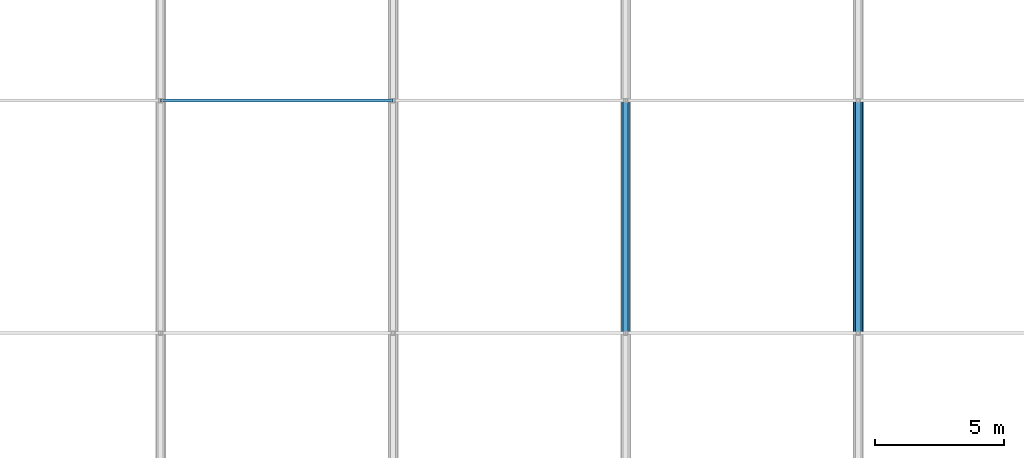
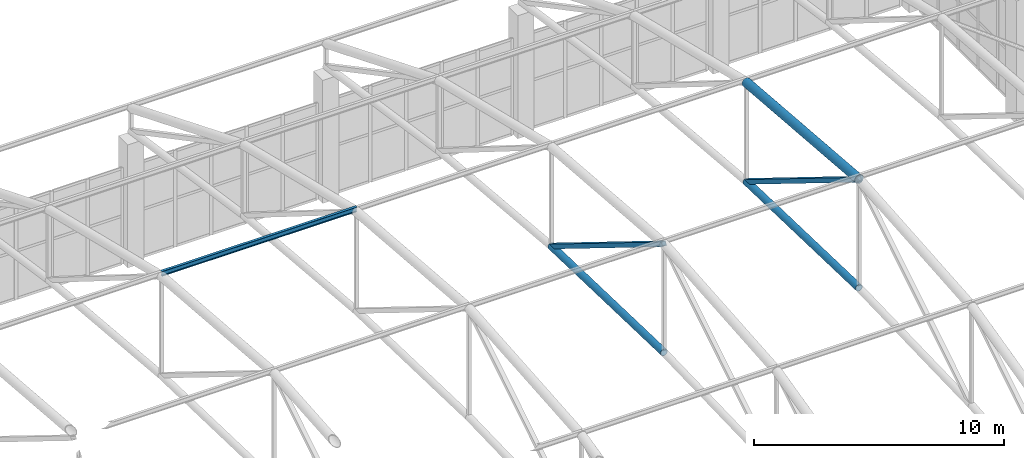
# One storey, part 136 of 223: 6 members.
"""IFC4 building model written with IfcOpenShell, lengths in metres."""

import ifcopenshell
import ifcopenshell.guid

model = None  # the IFC model being written
_history = None  # IfcOwnerHistory: only IFC2X3 demands one
_inside = {}  # id of a spatial element -> (the spatial element, [elements in it])
_under = {}  # id of a project, library or spatial element -> (it, [spatial elements below it])
_declared = {}  # id of a project -> (the project, [libraries it declares])
_typed = {}  # id of a type object -> (the type object, [elements of that type])
_made_of = {}  # id of a material, layer set ... -> (it, [elements and type objects made of it])


def new_model(schema):
    """Start an empty IFC model of exactly this schema.

    Asked for "IFC4X3", IfcOpenShell would pick the latest addendum, in which some entities
    have other attributes; the version numbers below select the first issue.
    IFC2X3 requires an IfcOwnerHistory on every rooted entity: one is made here for all.
    """
    global model, _history
    if schema == "IFC4X3":
        model = ifcopenshell.file(schema_version=(4, 3, 0, 0))
    else:
        model = ifcopenshell.file(schema=schema)
    _inside.clear()
    _under.clear()
    _declared.clear()
    _typed.clear()
    _made_of.clear()
    _history = None
    if model.schema == "IFC2X3":
        org = make("IfcOrganization", Name="unknown")
        user = make(
            "IfcPersonAndOrganization",
            ThePerson=make("IfcPerson", FamilyName="unknown"),
            TheOrganization=org,
        )
        app = make(
            "IfcApplication",
            ApplicationDeveloper=org,
            Version="unknown",
            ApplicationFullName="unknown",
            ApplicationIdentifier="unknown",
        )
        _history = make(
            "IfcOwnerHistory",
            OwningUser=user,
            OwningApplication=app,
            ChangeAction="ADDED",
            CreationDate=0,
        )
    return model


def make(cls, **values):
    """One entity of the class cls with the attributes given. An attribute that is None is left unset."""
    return model.create_entity(
        cls, **{name: value for name, value in values.items() if value is not None}
    )


def rooted(cls, **values):
    """An entity with a GlobalId (a new one), such as an element, a storey or a relation."""
    return make(cls, GlobalId=ifcopenshell.guid.new(), OwnerHistory=_history, **values)


def si_unit(unit_type, name, prefix=None):
    """IfcSIUnit, for example si_unit("LENGTHUNIT", "METRE", prefix="MILLI")."""
    return make("IfcSIUnit", UnitType=unit_type, Prefix=prefix, Name=name)


def assignment(units):
    """IfcUnitAssignment: the units of a project."""
    return None if units is None else make("IfcUnitAssignment", Units=units)


def point(xyz):
    """IfcCartesianPoint."""
    return None if xyz is None else make("IfcCartesianPoint", Coordinates=xyz)


def direction(xyz):
    """IfcDirection."""
    return None if xyz is None else make("IfcDirection", DirectionRatios=xyz)


def frame(location, z_axis=None, x_axis=None):
    """IfcAxis2Placement3D, a coordinate frame: its origin and axes. An axis left out is left unset."""
    return make(
        "IfcAxis2Placement3D",
        Location=point(location),
        Axis=direction(z_axis),
        RefDirection=direction(x_axis),
    )


def frame_2d(location, x_axis=None):
    """IfcAxis2Placement2D, a coordinate frame in the plane: its origin and x axis."""
    return make(
        "IfcAxis2Placement2D", Location=point(location), RefDirection=direction(x_axis)
    )


def origin():
    """The frame at (0, 0, 0) with its axes left unset."""
    return frame((0.0, 0.0, 0.0))


def origin_2d():
    """The frame at (0, 0) in the plane with its x axis left unset."""
    return frame_2d((0.0, 0.0))


def place(relative_to, where):
    """IfcLocalPlacement: puts the frame where relative to a parent placement (None: the world)."""
    return make(
        "IfcLocalPlacement", PlacementRelTo=relative_to, RelativePlacement=where
    )


def context(
    kind, dimensions, precision=None, world=None, true_north=None, identifier=None
):
    """IfcGeometricRepresentationContext, for example the 3D "Model" context."""
    return make(
        "IfcGeometricRepresentationContext",
        ContextIdentifier=identifier,
        ContextType=kind,
        CoordinateSpaceDimension=dimensions,
        Precision=precision,
        WorldCoordinateSystem=world,
        TrueNorth=true_north,
    )


def subcontext(parent, identifier, kind, view, scale=None):
    """IfcGeometricRepresentationSubContext, for example "Body" below "Model"."""
    return make(
        "IfcGeometricRepresentationSubContext",
        ContextIdentifier=identifier,
        ContextType=kind,
        ParentContext=parent,
        TargetScale=scale,
        TargetView=view,
    )


def project(units=None, contexts=None):
    """IfcProject with its units and contexts."""
    return rooted(
        "IfcProject",
        Name="project",
        RepresentationContexts=contexts,
        UnitsInContext=assignment(units),
    )


def spatial(cls, under=None, at=None, **own):
    """A site, building, storey or space (cls), placed at a placement, below another one or the project."""
    s = rooted(cls, ObjectPlacement=at, **own)
    if under is not None:
        _under.setdefault(under.id(), (under, []))[1].append(s)
    return s


def profile(cls, at=None, kind="AREA", **sizes):
    """A parametric profile (cls). Its sizes go by their IFC names, for example OverallWidth=200.0."""
    return make(cls, ProfileType=kind, Position=at, **sizes)


def hollow_rectangle(**sizes):
    """IfcRectangleHollowProfileDef."""
    return profile("IfcRectangleHollowProfileDef", **sizes)


def hollow_circle(**sizes):
    """IfcCircleHollowProfileDef."""
    return profile("IfcCircleHollowProfileDef", **sizes)


def i_section(**sizes):
    """IfcIShapeProfileDef."""
    return profile("IfcIShapeProfileDef", **sizes)


def extrude(swept, where, along, depth):
    """IfcExtrudedAreaSolid: the profile swept, set in the frame where, extruded along a direction by depth."""
    return make(
        "IfcExtrudedAreaSolid",
        SweptArea=swept,
        Position=where,
        ExtrudedDirection=direction(along),
        Depth=depth,
    )


def shape(context_of_items, identifier, shape_type, items):
    """IfcShapeRepresentation: the items that make up one representation, for example the "Body"."""
    return make(
        "IfcShapeRepresentation",
        ContextOfItems=context_of_items,
        RepresentationIdentifier=identifier,
        RepresentationType=shape_type,
        Items=items,
    )


def material(Name=None, Category=None):
    """IfcMaterial."""
    return make("IfcMaterial", Name=Name, Category=Category)


def material_profile(
    of_material, cross_section, Name=None, Category=None, Priority=None
):
    """IfcMaterialProfile: a cross section and its material."""
    return make(
        "IfcMaterialProfile",
        Name=Name,
        Material=of_material,
        Profile=cross_section,
        Priority=Priority,
        Category=Category,
    )


def profile_set(profiles, Name=None, composite=None):
    """IfcMaterialProfileSet."""
    return make(
        "IfcMaterialProfileSet",
        Name=Name,
        MaterialProfiles=profiles,
        CompositeProfile=composite,
    )


def made_of(thing, what):
    """Note that an element or type object is made of a material, layer set ...; save() writes the relation."""
    if what is not None:
        _made_of.setdefault(what.id(), (what, []))[1].append(thing)
    return thing


def type_object(cls, material=None, **own):
    """A type object (cls), such as IfcWallType, which elements share."""
    return made_of(rooted(cls, **own), material)


def element(
    cls,
    number,
    at=None,
    inside=None,
    cuts=None,
    type_object=None,
    material=None,
    context=None,
    identifier="Body",
    shape_type=None,
    held_by="IfcProductDefinitionShape",
    body=None,
    shapes=None,
    **own,
):
    """One element of the class cls, such as IfcWall. Its Tag is "e" and its number.

    at: its placement. inside: the storey or other place that contains it. cuts: it is an
    opening in that element (IfcRelVoidsElement). A single representation is given by context,
    identifier, shape_type and body (its items); several are given by shapes. held_by: the class
    of the entity that holds the representations. save() writes the other relations.
    """
    e = rooted(cls, Tag="e%d" % number, ObjectPlacement=at, **own)
    if body is not None:
        shapes = [shape(context, identifier, shape_type, body)]
    if shapes is not None:
        e.Representation = make(held_by, Representations=shapes)
    if inside is not None:
        _inside.setdefault(inside.id(), (inside, []))[1].append(e)
    if cuts is not None:
        rooted(
            "IfcRelVoidsElement", RelatingBuildingElement=cuts, RelatedOpeningElement=e
        )
    if type_object is not None:
        _typed.setdefault(type_object.id(), (type_object, []))[1].append(e)
    return made_of(e, material)


def aggregate(whole, parts):
    """IfcRelAggregates: a whole, such as a stair, and the parts it consists of."""
    return rooted("IfcRelAggregates", RelatingObject=whole, RelatedObjects=parts)


def save(model, path):
    """Write the relations noted so far, then the file.

    IfcRelAggregates (storeys below a building ...), IfcRelContainedInSpatialStructure (elements
    in a storey), IfcRelDefinesByType, IfcRelAssociatesMaterial and IfcRelDeclares: one each for
    every whole, place, type object, material and project.
    """
    for whole, parts in _under.values():
        aggregate(whole, parts)
    for where, things in _inside.values():
        rooted(
            "IfcRelContainedInSpatialStructure",
            RelatedElements=things,
            RelatingStructure=where,
        )
    for kind, things in _typed.values():
        rooted("IfcRelDefinesByType", RelatedObjects=things, RelatingType=kind)
    for what, things in _made_of.values():
        rooted("IfcRelAssociatesMaterial", RelatedObjects=things, RelatingMaterial=what)
    for by, libraries in _declared.values():
        rooted("IfcRelDeclares", RelatingContext=by, RelatedDefinitions=libraries)
    model.write(path)


model = new_model("IFC4")

# Units and contexts
model_context = context("Model", 3, precision=1e-05, world=origin(), true_north=direction((0.0, 1.0)))
body_context = subcontext(model_context, "Body", "Model", "MODEL_VIEW")
ifc_project = project(units=[si_unit("LENGTHUNIT", "METRE"), si_unit("AREAUNIT", "SQUARE_METRE"), si_unit("VOLUMEUNIT", "CUBIC_METRE"), si_unit("PLANEANGLEUNIT", "RADIAN"), si_unit("MASSUNIT", "GRAM", prefix="KILO")], contexts=[model_context])

# Site, building, storey
site_placement = place(None, origin())
site = spatial("IfcSite", under=ifc_project, at=site_placement, CompositionType="ELEMENT")
building_placement = place(site_placement, origin())
building = spatial("IfcBuilding", under=site, at=building_placement, Name="Dornveld Trade and Exhibition Forum", CompositionType="ELEMENT")
storey_placement = place(building_placement, frame((0.0, 0.0, 6.0)))
storey = spatial("IfcBuildingStorey", under=building, at=storey_placement, Name="L01", CompositionType="ELEMENT", Elevation=6.0)

# Members
ifc_material_1 = material(Name="Steel S355J2", Category="steel")
ifc_material_profile_1 = material_profile(ifc_material_1, hollow_circle(Radius=0.161865234375, WallThickness=0.01611328125, at=origin_2d()), Name="CHS 323.9x16")
ifc_profile_set_1 = profile_set([ifc_material_profile_1], Name="Steel S355J2")
member_type_1 = type_object("IfcMemberType", Name="MEM-ARCH-BC", PredefinedType="CHORD", material=ifc_profile_set_1)
for number, where, z_axis, x_axis, name in (
    (1, (144.0, 135.0, 8.75), (0.0, 0.999561545365, -0.029609407757), (-1.0, 0.0, 0.0), "H1 truss 6 tie chord 4"),
    (2, (153.0, 135.0, 8.75), (0.0, 0.999561545365, -0.029609407757), (-1.0, 0.0, 0.0), "H1 truss 7 tie chord 4"),
):
    element("IfcMember", number, at=place(storey_placement, frame(where, z_axis=z_axis, x_axis=x_axis)), inside=storey, type_object=member_type_1, Name=name, PredefinedType="CHORD", context=body_context, shape_type="SweptSolid", body=[
        extrude(hollow_circle(Radius=0.161865234375, WallThickness=0.01611328125, at=origin_2d()), origin(), (0.0, 0.0, 1.0), 9.00390625),
    ])
ifc_material_2 = material(Name="Steel S355J2", Category="steel")
ifc_material_profile_2 = material_profile(ifc_material_2, hollow_circle(Radius=0.203125, WallThickness=0.02001953125, at=origin_2d()), Name="CHS 406.4x20")
ifc_profile_set_2 = profile_set([ifc_material_profile_2], Name="Steel S355J2")
member_type_2 = type_object("IfcMemberType", Name="MEM-ARCH-TC", PredefinedType="CHORD", material=ifc_profile_set_2)
member_1_placement = place(storey_placement, frame((153.0, 135.0, 14.050048828125), z_axis=(0.0, 0.996696239312, -0.081219496064), x_axis=(-1.0, 0.0, 0.0)))
element("IfcMember", 3, at=member_1_placement, inside=storey, type_object=member_type_2, Name="H1 truss 7 top chord 4", PredefinedType="CHORD", context=body_context, shape_type="SweptSolid", body=[
    extrude(hollow_circle(Radius=0.203125, WallThickness=0.02001953125, at=origin_2d()), origin(), (0.0, 0.0, 1.0), 9.02978515625),
])
ifc_material_3 = material(Name="Steel S355J2", Category="steel")
ifc_material_profile_3 = material_profile(ifc_material_3, hollow_rectangle(XDim=0.199951171875, YDim=0.199951171875, WallThickness=0.010009765625, at=origin_2d()), Name="SHS 200x200x10")
ifc_profile_set_3 = profile_set([ifc_material_profile_3], Name="Steel S355J2")
member_type_3 = type_object("IfcMemberType", Name="MEM-ARCH-WEB", PredefinedType="BRACE", material=ifc_profile_set_3)
for number, where, z_axis, x_axis, name in (
    (4, (144.0, 144.0, 8.4833984375), (0.0, -0.850467158024, 0.526028148603), (1.0, 0.0, 0.0), "H1 truss 6 web 4"),
    (5, (153.0, 144.0, 8.4833984375), (0.0, -0.850467158024, 0.526028148603), (1.0, 0.0, 0.0), "H1 truss 7 web 4"),
):
    element("IfcMember", number, at=place(storey_placement, frame(where, z_axis=z_axis, x_axis=x_axis)), inside=storey, type_object=member_type_3, Name=name, PredefinedType="BRACE", context=body_context, shape_type="SweptSolid", body=[
        extrude(hollow_rectangle(XDim=0.199951171875, YDim=0.199951171875, WallThickness=0.010009765625, at=origin_2d()), origin(), (0.0, 0.0, 1.0), 10.58251953125),
    ])
ifc_material_4 = material(Name="Steel S355J2", Category="steel")
ifc_material_profile_4 = material_profile(ifc_material_4, i_section(OverallWidth=0.1201171875, OverallDepth=0.239990234375, WebThickness=0.006103515625, FlangeThickness=0.009765625, FilletRadius=0.014892578125, at=origin_2d()), Name="IPE 240")
ifc_profile_set_4 = profile_set([ifc_material_profile_4], Name="Steel S355J2")
member_type_4 = type_object("IfcMemberType", Name="MEM-PURLIN-240", PredefinedType="PURLIN", material=ifc_profile_set_4)
member_2_placement = place(storey_placement, frame((126.0, 144.0, 13.44873046875), z_axis=(1.0, 0.0, 0.0), x_axis=(0.0, 1.0, 0.0)))
element("IfcMember", 6, at=member_2_placement, inside=storey, type_object=member_type_4, Name="H1 bay 4 roof purlin 5", PredefinedType="PURLIN", context=body_context, shape_type="SweptSolid", body=[
    extrude(i_section(OverallWidth=0.1201171875, OverallDepth=0.239990234375, WebThickness=0.006103515625, FlangeThickness=0.009765625, FilletRadius=0.014892578125, at=origin_2d()), origin(), (0.0, 0.0, 1.0), 9.0),
])

save(model, "model.ifc")
